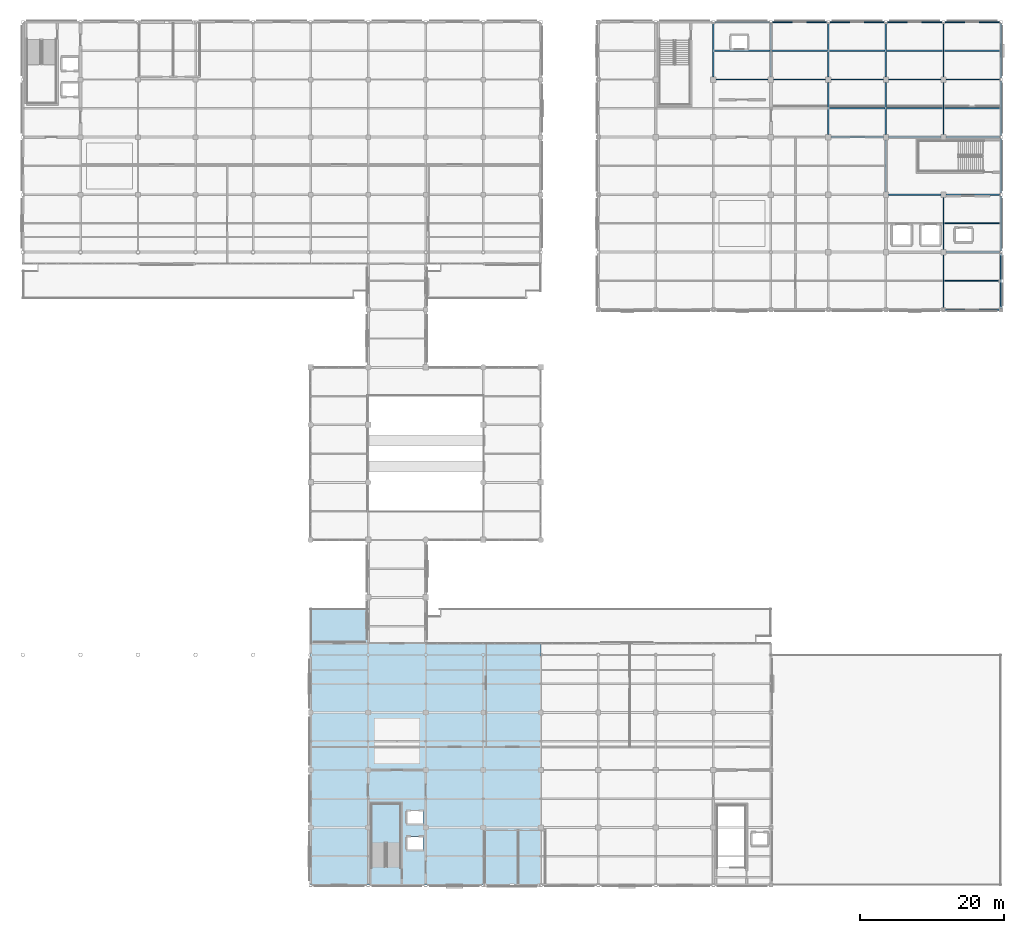
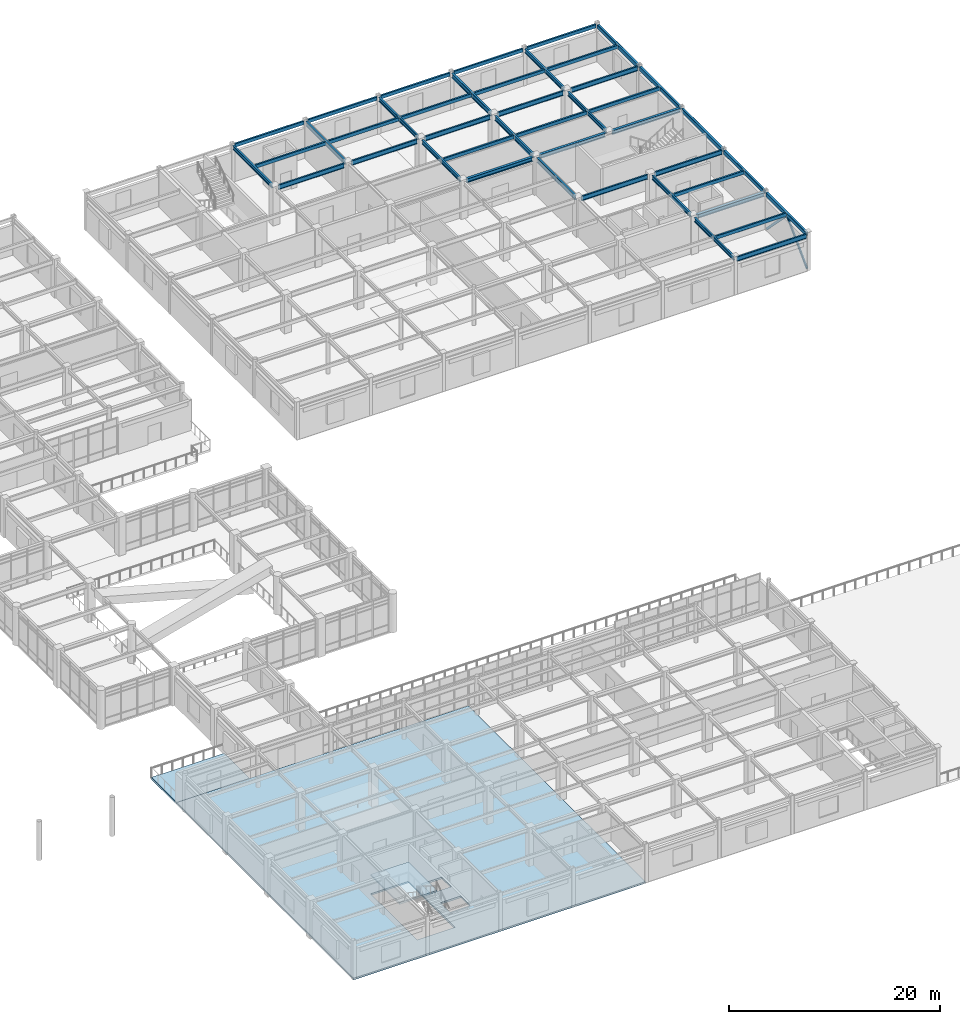
# One storey, part 50 of 93: 43 beams, 3 slabs, 2 members, 1 element without a shape of its own.
"""IFC4 building model written with IfcOpenShell, lengths in metres."""

from ifc_helpers import new_model, si_unit, direction, frame, origin, origin_2d, place, context, subcontext, project, spatial, polyline, hollow_rectangle, i_section, outline, extrude, material, layer, layer_set, material_profile, profile_set, type_object, element, aggregate, save


model = new_model("IFC4")

# Units and contexts
model_context = context("Model", 3, precision=1e-05, world=origin(), true_north=direction((0.0, 1.0)))
body_context = subcontext(model_context, "Body", "Model", "MODEL_VIEW")
ifc_project = project(units=[si_unit("LENGTHUNIT", "METRE"), si_unit("AREAUNIT", "SQUARE_METRE"), si_unit("VOLUMEUNIT", "CUBIC_METRE"), si_unit("PLANEANGLEUNIT", "RADIAN"), si_unit("MASSUNIT", "GRAM", prefix="KILO")], contexts=[model_context])

# Site, building, storey
site_placement = place(None, origin())
site = spatial("IfcSite", under=ifc_project, at=site_placement, CompositionType="ELEMENT")
building_placement = place(site_placement, origin())
building = spatial("IfcBuilding", under=site, at=building_placement, Name="Solmirada Galleria", CompositionType="ELEMENT")
storey_placement = place(building_placement, frame((0.0, 0.0, 14.89990234375)))
storey = spatial("IfcBuildingStorey", under=building, at=storey_placement, Name="L03", CompositionType="ELEMENT", Elevation=14.89990234375)

# Beams
ifc_material_1 = material(Name="Steel S355 / ASTM A992 Grade 50", Category="steel")
ifc_material_profile_1 = material_profile(ifc_material_1, i_section(OverallWidth=0.281982421875, OverallDepth=0.467041015625, WebThickness=0.01220703125, FlangeThickness=0.01953125, FilletRadius=0.013916015625, at=origin_2d()), Name="W18X86")
ifc_profile_set_1 = profile_set([ifc_material_profile_1], Name="Steel S355 / ASTM A992 Grade 50")
beam_type_1 = type_object("IfcBeamType", Name="BM-GIRD-W18A", PredefinedType="BEAM", material=ifc_profile_set_1)
for number, where, z_axis, x_axis, name in (
    (1, (152.375, 104.0, 4.066650390625), (1.0, 0.0, 0.0), (0.0, 1.0, 0.0), "Primary beam L04 X(152..160, 104)"),
    (2, (160.375, 104.0, 4.066650390625), (1.0, 0.0, 0.0), (0.0, 1.0, 0.0), "Primary beam L04 X(160..168, 104)"),
):
    element("IfcBeam", number, at=place(storey_placement, frame(where, z_axis=z_axis, x_axis=x_axis)), inside=storey, type_object=beam_type_1, Name=name, PredefinedType="BEAM", context=body_context, shape_type="SweptSolid", body=[
        extrude(i_section(OverallWidth=0.281982421875, OverallDepth=0.467041015625, WebThickness=0.01220703125, FlangeThickness=0.01953125, FilletRadius=0.013916015625, at=origin_2d()), origin(), (0.0, 0.0, 1.0), 7.25),
    ])
for number, where, z_axis, x_axis, name in (
    (3, (168.375, 88.0, 4.026611328125), (1.0, 0.0, 0.0), (0.0, 1.0, 0.0), "Primary beam L04 X(168..176, 88)"),
    (4, (168.375, 104.0, 4.066650390625), (1.0, 0.0, 0.0), (0.0, 1.0, 0.0), "Primary beam L04 X(168..176, 104)"),
):
    element("IfcBeam", number, at=place(storey_placement, frame(where, z_axis=z_axis, x_axis=x_axis)), inside=storey, type_object=beam_type_1, Name=name, PredefinedType="BEAM", context=body_context, shape_type="SweptSolid", body=[
        extrude(i_section(OverallWidth=0.281982421875, OverallDepth=0.467041015625, WebThickness=0.01220703125, FlangeThickness=0.01953125, FilletRadius=0.013916015625, at=origin_2d()), origin(), (0.0, 0.0, 1.0), 7.422119140625),
    ])
ifc_material_profile_2 = material_profile(ifc_material_1, i_section(OverallWidth=0.194091796875, OverallDepth=0.468994140625, WebThickness=0.0126953125, FlangeThickness=0.0205078125, FilletRadius=0.013916015625, at=origin_2d()), Name="W18X71")
ifc_profile_set_2 = profile_set([ifc_material_profile_2], Name="Steel S355 / ASTM A992 Grade 50")
beam_type_2 = type_object("IfcBeamType", Name="BM-GIRD-W18B", PredefinedType="BEAM", material=ifc_profile_set_2)
beam_1_placement = place(storey_placement, frame((136.0, 112.375, 4.065673828125), z_axis=(0.0, 1.0, 0.0), x_axis=(-1.0, 0.0, 0.0)))
element("IfcBeam", 5, at=beam_1_placement, inside=storey, type_object=beam_type_2, Name="Primary girder L04 Y(136, 112..120)", PredefinedType="BEAM", context=body_context, shape_type="SweptSolid", body=[
    extrude(i_section(OverallWidth=0.194091796875, OverallDepth=0.468994140625, WebThickness=0.0126953125, FlangeThickness=0.0205078125, FilletRadius=0.013916015625, at=origin_2d()), origin(), (0.0, 0.0, 1.0), 7.422119140625),
])
beam_2_placement = place(storey_placement, frame((152.0, 104.375, 4.065673828125), z_axis=(0.0, 1.0, 0.0), x_axis=(-1.0, 0.0, 0.0)))
element("IfcBeam", 6, at=beam_2_placement, inside=storey, type_object=beam_type_2, Name="Primary girder L04 Y(152, 104..112)", PredefinedType="BEAM", context=body_context, shape_type="SweptSolid", body=[
    extrude(i_section(OverallWidth=0.194091796875, OverallDepth=0.468994140625, WebThickness=0.0126953125, FlangeThickness=0.0205078125, FilletRadius=0.013916015625, at=origin_2d()), origin(), (0.0, 0.0, 1.0), 7.25),
])
beam_3_placement = place(storey_placement, frame((152.0, 112.375, 4.065673828125), z_axis=(0.0, 1.0, 0.0), x_axis=(-1.0, 0.0, 0.0)))
element("IfcBeam", 7, at=beam_3_placement, inside=storey, type_object=beam_type_2, Name="Primary girder L04 Y(152, 112..120)", PredefinedType="BEAM", context=body_context, shape_type="SweptSolid", body=[
    extrude(i_section(OverallWidth=0.194091796875, OverallDepth=0.468994140625, WebThickness=0.0126953125, FlangeThickness=0.0205078125, FilletRadius=0.013916015625, at=origin_2d()), origin(), (0.0, 0.0, 1.0), 7.422119140625),
])
beam_4_placement = place(storey_placement, frame((168.0, 80.177978515625, 4.025634765625), z_axis=(0.0, 1.0, 0.0), x_axis=(-1.0, 0.0, 0.0)))
element("IfcBeam", 8, at=beam_4_placement, inside=storey, type_object=beam_type_2, Name="Primary girder L04 Y(168, 80..88)", PredefinedType="BEAM", context=body_context, shape_type="SweptSolid", body=[
    extrude(i_section(OverallWidth=0.194091796875, OverallDepth=0.468994140625, WebThickness=0.0126953125, FlangeThickness=0.0205078125, FilletRadius=0.013916015625, at=origin_2d()), origin(), (0.0, 0.0, 1.0), 7.447021484375),
])
for number, where, z_axis, x_axis, name in (
    (9, (168.0, 88.375, 4.065673828125), (0.0, 1.0, 0.0), (-1.0, 0.0, 0.0), "Primary girder L04 Y(168, 88..96)"),
    (10, (168.0, 104.375, 4.065673828125), (0.0, 1.0, 0.0), (-1.0, 0.0, 0.0), "Primary girder L04 Y(168, 104..112)"),
):
    element("IfcBeam", number, at=place(storey_placement, frame(where, z_axis=z_axis, x_axis=x_axis)), inside=storey, type_object=beam_type_2, Name=name, PredefinedType="BEAM", context=body_context, shape_type="SweptSolid", body=[
        extrude(i_section(OverallWidth=0.194091796875, OverallDepth=0.468994140625, WebThickness=0.0126953125, FlangeThickness=0.0205078125, FilletRadius=0.013916015625, at=origin_2d()), origin(), (0.0, 0.0, 1.0), 7.25),
    ])
beam_5_placement = place(storey_placement, frame((168.0, 112.375, 4.065673828125), z_axis=(0.0, 1.0, 0.0), x_axis=(-1.0, 0.0, 0.0)))
element("IfcBeam", 11, at=beam_5_placement, inside=storey, type_object=beam_type_2, Name="Primary girder L04 Y(168, 112..120)", PredefinedType="BEAM", context=body_context, shape_type="SweptSolid", body=[
    extrude(i_section(OverallWidth=0.194091796875, OverallDepth=0.468994140625, WebThickness=0.0126953125, FlangeThickness=0.0205078125, FilletRadius=0.013916015625, at=origin_2d()), origin(), (0.0, 0.0, 1.0), 7.422119140625),
])
ifc_material_profile_3 = material_profile(ifc_material_1, i_section(OverallWidth=0.2099609375, OverallDepth=0.537109375, WebThickness=0.010986328125, FlangeThickness=0.017333984375, FilletRadius=0.014892578125, at=origin_2d()), Name="W21X68")
ifc_profile_set_3 = profile_set([ifc_material_profile_3], Name="Steel S355 / ASTM A992 Grade 50")
beam_type_3 = type_object("IfcBeamType", Name="BM-GIRD-W21B", PredefinedType="BEAM", material=ifc_profile_set_3)
beam_6_placement = place(storey_placement, frame((144.0, 112.375, 4.031494140625), z_axis=(0.0, 1.0, 0.0), x_axis=(-1.0, 0.0, 0.0)))
element("IfcBeam", 12, at=beam_6_placement, inside=storey, type_object=beam_type_3, Name="Primary girder L04 Y(144, 112..120)", PredefinedType="BEAM", context=body_context, shape_type="SweptSolid", body=[
    extrude(i_section(OverallWidth=0.2099609375, OverallDepth=0.537109375, WebThickness=0.010986328125, FlangeThickness=0.017333984375, FilletRadius=0.014892578125, at=origin_2d()), origin(), (0.0, 0.0, 1.0), 7.422119140625),
])
for number, where, z_axis, x_axis, name in (
    (13, (160.0, 96.375, 4.031494140625), (0.0, 1.0, 0.0), (-1.0, 0.0, 0.0), "Primary girder L04 Y(160, 96..104)"),
    (14, (160.0, 104.375, 4.031494140625), (0.0, 1.0, 0.0), (-1.0, 0.0, 0.0), "Primary girder L04 Y(160, 104..112)"),
):
    element("IfcBeam", number, at=place(storey_placement, frame(where, z_axis=z_axis, x_axis=x_axis)), inside=storey, type_object=beam_type_3, Name=name, PredefinedType="BEAM", context=body_context, shape_type="SweptSolid", body=[
        extrude(i_section(OverallWidth=0.2099609375, OverallDepth=0.537109375, WebThickness=0.010986328125, FlangeThickness=0.017333984375, FilletRadius=0.014892578125, at=origin_2d()), origin(), (0.0, 0.0, 1.0), 7.25),
    ])
beam_7_placement = place(storey_placement, frame((160.0, 112.375, 4.031494140625), z_axis=(0.0, 1.0, 0.0), x_axis=(-1.0, 0.0, 0.0)))
element("IfcBeam", 15, at=beam_7_placement, inside=storey, type_object=beam_type_3, Name="Primary girder L04 Y(160, 112..120)", PredefinedType="BEAM", context=body_context, shape_type="SweptSolid", body=[
    extrude(i_section(OverallWidth=0.2099609375, OverallDepth=0.537109375, WebThickness=0.010986328125, FlangeThickness=0.017333984375, FilletRadius=0.014892578125, at=origin_2d()), origin(), (0.0, 0.0, 1.0), 7.422119140625),
])
ifc_material_profile_4 = material_profile(ifc_material_1, i_section(OverallWidth=0.1669921875, OverallDepth=0.534912109375, WebThickness=0.01025390625, FlangeThickness=0.0166015625, FilletRadius=0.013916015625, at=origin_2d()), Name="W21X57")
ifc_profile_set_4 = profile_set([ifc_material_profile_4], Name="Steel S355 / ASTM A992 Grade 50")
beam_type_4 = type_object("IfcBeamType", Name="BM-GIRD-W21C", PredefinedType="BEAM", material=ifc_profile_set_4)
for number, where, z_axis, x_axis, name in (
    (16, (136.375, 112.0, 4.03271484375), (1.0, 0.0, 0.0), (0.0, 1.0, 0.0), "Primary beam L04 X(136..144, 112)"),
    (17, (144.375, 112.0, 4.03271484375), (1.0, 0.0, 0.0), (0.0, 1.0, 0.0), "Primary beam L04 X(144..152, 112)"),
    (18, (152.375, 112.0, 4.03271484375), (1.0, 0.0, 0.0), (0.0, 1.0, 0.0), "Primary beam L04 X(152..160, 112)"),
    (19, (160.375, 96.0, 4.03271484375), (1.0, 0.0, 0.0), (0.0, 1.0, 0.0), "Primary beam L04 X(160..168, 96)"),
    (20, (160.375, 112.0, 4.03271484375), (1.0, 0.0, 0.0), (0.0, 1.0, 0.0), "Primary beam L04 X(160..168, 112)"),
):
    element("IfcBeam", number, at=place(storey_placement, frame(where, z_axis=z_axis, x_axis=x_axis)), inside=storey, type_object=beam_type_4, Name=name, PredefinedType="BEAM", context=body_context, shape_type="SweptSolid", body=[
        extrude(i_section(OverallWidth=0.1669921875, OverallDepth=0.534912109375, WebThickness=0.01025390625, FlangeThickness=0.0166015625, FilletRadius=0.013916015625, at=origin_2d()), origin(), (0.0, 0.0, 1.0), 7.25),
    ])
beam_8_placement = place(storey_placement, frame((168.177978515625, 80.0, 3.99267578125), z_axis=(1.0, 0.0, 0.0), x_axis=(0.0, 1.0, 0.0)))
element("IfcBeam", 21, at=beam_8_placement, inside=storey, type_object=beam_type_4, Name="Primary beam L04 X(168..176, 80)", PredefinedType="BEAM", context=body_context, shape_type="SweptSolid", body=[
    extrude(i_section(OverallWidth=0.1669921875, OverallDepth=0.534912109375, WebThickness=0.01025390625, FlangeThickness=0.0166015625, FilletRadius=0.013916015625, at=origin_2d()), origin(), (0.0, 0.0, 1.0), 7.64404296875),
])
for number, where, z_axis, x_axis, name in (
    (22, (168.375, 96.0, 4.03271484375), (1.0, 0.0, 0.0), (0.0, 1.0, 0.0), "Primary beam L04 X(168..176, 96)"),
    (23, (168.375, 112.0, 4.03271484375), (1.0, 0.0, 0.0), (0.0, 1.0, 0.0), "Primary beam L04 X(168..176, 112)"),
):
    element("IfcBeam", number, at=place(storey_placement, frame(where, z_axis=z_axis, x_axis=x_axis)), inside=storey, type_object=beam_type_4, Name=name, PredefinedType="BEAM", context=body_context, shape_type="SweptSolid", body=[
        extrude(i_section(OverallWidth=0.1669921875, OverallDepth=0.534912109375, WebThickness=0.01025390625, FlangeThickness=0.0166015625, FilletRadius=0.013916015625, at=origin_2d()), origin(), (0.0, 0.0, 1.0), 7.422119140625),
    ])
ifc_material_2 = material(Name="Steel S355 / ASTM A500 Grade C", Category="steel")
ifc_material_profile_5 = material_profile(ifc_material_2, hollow_rectangle(XDim=0.202880859375, YDim=0.406005859375, WallThickness=0.01171875, InnerFilletRadius=0.01171875, OuterFilletRadius=0.023681640625, at=origin_2d()), Name="HSS16X8X1/2")
ifc_profile_set_5 = profile_set([ifc_material_profile_5], Name="Steel S355 / ASTM A500 Grade C")
beam_type_5 = type_object("IfcBeamType", Name="BM-JST-W16B", PredefinedType="JOIST", material=ifc_profile_set_5)
for number, where, z_axis, x_axis, name in (
    (24, (136.096923828125, 116.0, 4.09716796875), (1.0, 0.0, 0.0), (0.0, 1.0, 0.0), "Composite floor joist L04 (136..144, 116.0)"),
    (25, (144.10498046875, 116.0, 4.09716796875), (1.0, 0.0, 0.0), (0.0, 1.0, 0.0), "Composite floor joist L04 (144..152, 116.0)"),
    (26, (152.096923828125, 108.0, 4.09716796875), (1.0, 0.0, 0.0), (0.0, 1.0, 0.0), "Composite floor joist L04 (152..160, 108.0)"),
    (27, (152.096923828125, 116.0, 4.09716796875), (1.0, 0.0, 0.0), (0.0, 1.0, 0.0), "Composite floor joist L04 (152..160, 116.0)"),
    (28, (160.10498046875, 108.0, 4.09716796875), (1.0, 0.0, 0.0), (0.0, 1.0, 0.0), "Composite floor joist L04 (160..168, 108.0)"),
    (29, (160.10498046875, 116.0, 4.09716796875), (1.0, 0.0, 0.0), (0.0, 1.0, 0.0), "Composite floor joist L04 (160..168, 116.0)"),
):
    element("IfcBeam", number, at=place(storey_placement, frame(where, z_axis=z_axis, x_axis=x_axis)), inside=storey, type_object=beam_type_5, Name=name, PredefinedType="JOIST", context=body_context, shape_type="SweptSolid", body=[
        extrude(hollow_rectangle(XDim=0.202880859375, YDim=0.406005859375, WallThickness=0.01171875, InnerFilletRadius=0.01171875, OuterFilletRadius=0.023681640625, at=origin_2d()), origin(), (0.0, 0.0, 1.0), 7.798095703125),
    ])
for number, where, z_axis, x_axis, name in (
    (30, (168.096923828125, 84.0, 4.05712890625), (1.0, 0.0, 0.0), (0.0, 1.0, 0.0), "Composite floor joist L04 (168..176, 84.0)"),
    (31, (168.096923828125, 92.0, 4.09716796875), (1.0, 0.0, 0.0), (0.0, 1.0, 0.0), "Composite floor joist L04 (168..176, 92.0)"),
    (32, (168.096923828125, 108.0, 4.09716796875), (1.0, 0.0, 0.0), (0.0, 1.0, 0.0), "Composite floor joist L04 (168..176, 108.0)"),
    (33, (168.096923828125, 116.0, 4.09716796875), (1.0, 0.0, 0.0), (0.0, 1.0, 0.0), "Composite floor joist L04 (168..176, 116.0)"),
):
    element("IfcBeam", number, at=place(storey_placement, frame(where, z_axis=z_axis, x_axis=x_axis)), inside=storey, type_object=beam_type_5, Name=name, PredefinedType="JOIST", context=body_context, shape_type="SweptSolid", body=[
        extrude(hollow_rectangle(XDim=0.202880859375, YDim=0.406005859375, WallThickness=0.01171875, InnerFilletRadius=0.01171875, OuterFilletRadius=0.023681640625, at=origin_2d()), origin(), (0.0, 0.0, 1.0), 7.776123046875),
    ])
ifc_material_profile_6 = material_profile(ifc_material_2, hollow_rectangle(XDim=0.202880859375, YDim=0.406005859375, WallThickness=0.01171875, InnerFilletRadius=0.01171875, OuterFilletRadius=0.023681640625, at=origin_2d()), Name="HSS16X8X1/2")
ifc_profile_set_6 = profile_set([ifc_material_profile_6], Name="Steel S355 / ASTM A500 Grade C")
beam_type_6 = type_object("IfcBeamType", Name="BM-SPAND-W16A", PredefinedType="SPANDREL", material=ifc_profile_set_6)
for number, where, z_axis, x_axis, name in (
    (34, (136.202880859375, 120.0, 4.09716796875), (1.0, 0.0, 0.0), (0.0, 1.0, 0.0), "Primary beam L04 X(136..144, 120)"),
    (35, (144.202880859375, 120.0, 4.09716796875), (1.0, 0.0, 0.0), (0.0, 1.0, 0.0), "Primary beam L04 X(144..152, 120)"),
    (36, (152.202880859375, 120.0, 4.09716796875), (1.0, 0.0, 0.0), (0.0, 1.0, 0.0), "Primary beam L04 X(152..160, 120)"),
    (37, (160.202880859375, 120.0, 4.09716796875), (1.0, 0.0, 0.0), (0.0, 1.0, 0.0), "Primary beam L04 X(160..168, 120)"),
    (38, (168.202880859375, 120.0, 4.09716796875), (1.0, 0.0, 0.0), (0.0, 1.0, 0.0), "Primary beam L04 X(168..176, 120)"),
):
    element("IfcBeam", number, at=place(storey_placement, frame(where, z_axis=z_axis, x_axis=x_axis)), inside=storey, type_object=beam_type_6, Name=name, PredefinedType="SPANDREL", context=body_context, shape_type="SweptSolid", body=[
        extrude(hollow_rectangle(XDim=0.202880859375, YDim=0.406005859375, WallThickness=0.01171875, InnerFilletRadius=0.01171875, OuterFilletRadius=0.023681640625, at=origin_2d()), origin(), (0.0, 0.0, 1.0), 7.59423828125),
    ])
ifc_material_profile_7 = material_profile(ifc_material_2, hollow_rectangle(XDim=0.25390625, YDim=0.45703125, WallThickness=0.01171875, InnerFilletRadius=0.01171875, OuterFilletRadius=0.023681640625, at=origin_2d()), Name="HSS18X10X1/2")
ifc_profile_set_7 = profile_set([ifc_material_profile_7], Name="Steel S355 / ASTM A500 Grade C")
beam_type_7 = type_object("IfcBeamType", Name="BM-SPAND-W18", PredefinedType="SPANDREL", material=ifc_profile_set_7)
beam_9_placement = place(storey_placement, frame((176.0, 80.177978515625, 4.031494140625), z_axis=(0.0, 1.0, 0.0), x_axis=(-1.0, 0.0, 0.0)))
element("IfcBeam", 39, at=beam_9_placement, inside=storey, type_object=beam_type_7, Name="Primary girder L04 Y(176, 80..88)", PredefinedType="SPANDREL", context=body_context, shape_type="SweptSolid", body=[
    extrude(hollow_rectangle(XDim=0.25390625, YDim=0.45703125, WallThickness=0.01171875, InnerFilletRadius=0.01171875, OuterFilletRadius=0.023681640625, at=origin_2d()), origin(), (0.0, 0.0, 1.0), 7.619140625),
])
for number, where, z_axis, x_axis, name in (
    (40, (176.0, 88.202880859375, 4.071533203125), (0.0, 1.0, 0.0), (-1.0, 0.0, 0.0), "Primary girder L04 Y(176, 88..96)"),
    (41, (176.0, 96.202880859375, 4.071533203125), (0.0, 1.0, 0.0), (-1.0, 0.0, 0.0), "Primary girder L04 Y(176, 96..104)"),
    (42, (176.0, 104.202880859375, 4.071533203125), (0.0, 1.0, 0.0), (-1.0, 0.0, 0.0), "Primary girder L04 Y(176, 104..112)"),
    (43, (176.0, 112.202880859375, 4.071533203125), (0.0, 1.0, 0.0), (-1.0, 0.0, 0.0), "Primary girder L04 Y(176, 112..120)"),
):
    element("IfcBeam", number, at=place(storey_placement, frame(where, z_axis=z_axis, x_axis=x_axis)), inside=storey, type_object=beam_type_7, Name=name, PredefinedType="SPANDREL", context=body_context, shape_type="SweptSolid", body=[
        extrude(hollow_rectangle(XDim=0.25390625, YDim=0.45703125, WallThickness=0.01171875, InnerFilletRadius=0.01171875, OuterFilletRadius=0.023681640625, at=origin_2d()), origin(), (0.0, 0.0, 1.0), 7.59423828125),
    ])

# Members
ifc_material_profile_8 = material_profile(ifc_material_2, hollow_rectangle(XDim=0.152099609375, YDim=0.25390625, WallThickness=0.0087890625, InnerFilletRadius=0.0087890625, OuterFilletRadius=0.017822265625, at=origin_2d()), Name="HSS10X6X3/8")
ifc_profile_set_8 = profile_set([ifc_material_profile_8], Name="Steel S355 / ASTM A500 Grade C")
member_type = type_object("IfcMemberType", Name="MEM-CBF-EXT", PredefinedType="BRACE", material=ifc_profile_set_8)
member_1_placement = place(storey_placement, frame((176.0, 80.177978515625, 0.02001953125), z_axis=(0.0, 0.703592488375, 0.710603694264), x_axis=(-1.0, 0.0, 0.0)))
element("IfcMember", 44, at=member_1_placement, inside=storey, type_object=member_type, Name="Braced frame diagonal CBF-E1 L03 A", PredefinedType="BRACE", context=body_context, shape_type="SweptSolid", body=[
    extrude(hollow_rectangle(XDim=0.152099609375, YDim=0.25390625, WallThickness=0.0087890625, InnerFilletRadius=0.0087890625, OuterFilletRadius=0.017822265625, at=origin_2d()), origin(), (0.0, 0.0, 1.0), 5.43212890625),
])
member_2_placement = place(storey_placement, frame((176.0, 87.797119140625, 0.02001953125), z_axis=(0.0, -0.701266400883, 0.712899316168), x_axis=(1.0, 0.0, 0.0)))
element("IfcMember", 45, at=member_2_placement, inside=storey, type_object=member_type, Name="Braced frame diagonal CBF-E1 L03 B", PredefinedType="BRACE", context=body_context, shape_type="SweptSolid", body=[
    extrude(hollow_rectangle(XDim=0.152099609375, YDim=0.25390625, WallThickness=0.0087890625, InnerFilletRadius=0.0087890625, OuterFilletRadius=0.017822265625, at=origin_2d()), origin(), (0.0, 0.0, 1.0), 5.41455078125),
])

# Slab
ifc_material_3 = material(Name="Concrete C35/45", Category="concrete")
ifc_layer_1 = layer(ifc_material_3, 0.199951171875)
ifc_layer_set_1 = layer_set([ifc_layer_1], Name="Concrete C35/45")
slab_type_1 = type_object("IfcSlabType", Name="SLB-FLOOR-200", PredefinedType="FLOOR", material=ifc_layer_set_1)
slab_1_placement = place(storey_placement, frame((0.0, 0.0, -0.199951171875)))
element("IfcSlab", 46, at=slab_1_placement, inside=storey, type_object=slab_type_1, Name="Slab L03-SOUTH-W", PredefinedType="FLOOR", context=body_context, shape_type="SweptSolid", body=[
    extrude(outline(polyline([(80.0, 0.0), (112.0, 0.0), (112.0, 33.60009765625), (80.0, 33.60009765625), (80.0, 0.0)]), holes=[polyline([(88.39990234375, 2.5), (92.550048828125, 2.5), (92.550048828125, 11.300048828125), (88.39990234375, 11.300048828125), (88.39990234375, 2.5)]), polyline([(93.375, 4.89990234375), (95.625, 4.89990234375), (95.625, 6.699951171875), (93.375, 6.699951171875), (93.375, 4.89990234375)]), polyline([(93.375, 8.5), (95.625, 8.5), (95.625, 10.300048828125), (93.375, 10.300048828125), (93.375, 8.5)])]), origin(), (0.0, 0.0, 1.0), 0.199951171875),
])

# Stair, slab
stair_type = type_object("IfcStairType", Name="STR-DOG-200-H45", PredefinedType="HALF_TURN_STAIR", material=ifc_material_3)
stair_placement = place(storey_placement, origin())
stair = element("IfcStair", 47, at=stair_placement, inside=storey, type_object=stair_type, Name="L03 South Sales Core Exit Stair ST2", PredefinedType="HALF_TURN_STAIR")
ifc_layer_2 = layer(ifc_material_3, 0.199951171875)
ifc_layer_set_2 = layer_set([ifc_layer_2], Name="Concrete C35/45")
slab_type_2 = type_object("IfcSlabType", Name="SLB-LAND-200", PredefinedType="LANDING", material=ifc_layer_set_2)
slab_2_placement = place(storey_placement, frame((0.0, 0.0, 2.050048828125)))
slab_2 = element("IfcSlab", 48, at=slab_2_placement, type_object=slab_type_2, Name="ST2 landing 1", PredefinedType="LANDING", context=body_context, shape_type="SweptSolid", body=[
    extrude(outline(polyline([(92.550048828125, 5.860107421875), (92.550048828125, 11.300048828125), (88.39990234375, 11.300048828125), (88.39990234375, 5.860107421875), (92.550048828125, 5.860107421875)])), origin(), (0.0, 0.0, 1.0), 0.199951171875),
])
aggregate(stair, [slab_2])

# Slab
ifc_layer_3 = layer(ifc_material_3, 0.239990234375)
ifc_layer_set_3 = layer_set([ifc_layer_3], Name="Concrete C35/45")
slab_type_3 = type_object("IfcSlabType", Name="SLB-TERR-240", PredefinedType="FLOOR", material=ifc_layer_set_3)
slab_3_placement = place(storey_placement, frame((0.0, 0.0, -0.239990234375)))
element("IfcSlab", 49, at=slab_3_placement, inside=storey, type_object=slab_type_3, Name="Slab L03-TERR-SW", PredefinedType="FLOOR", context=body_context, shape_type="SweptSolid", body=[
    extrude(outline(polyline([(80.0, 33.60009765625), (88.0, 33.60009765625), (88.0, 38.39990234375), (80.0, 38.39990234375), (80.0, 33.60009765625)])), origin(), (0.0, 0.0, 1.0), 0.239990234375),
])

save(model, "model.ifc")
